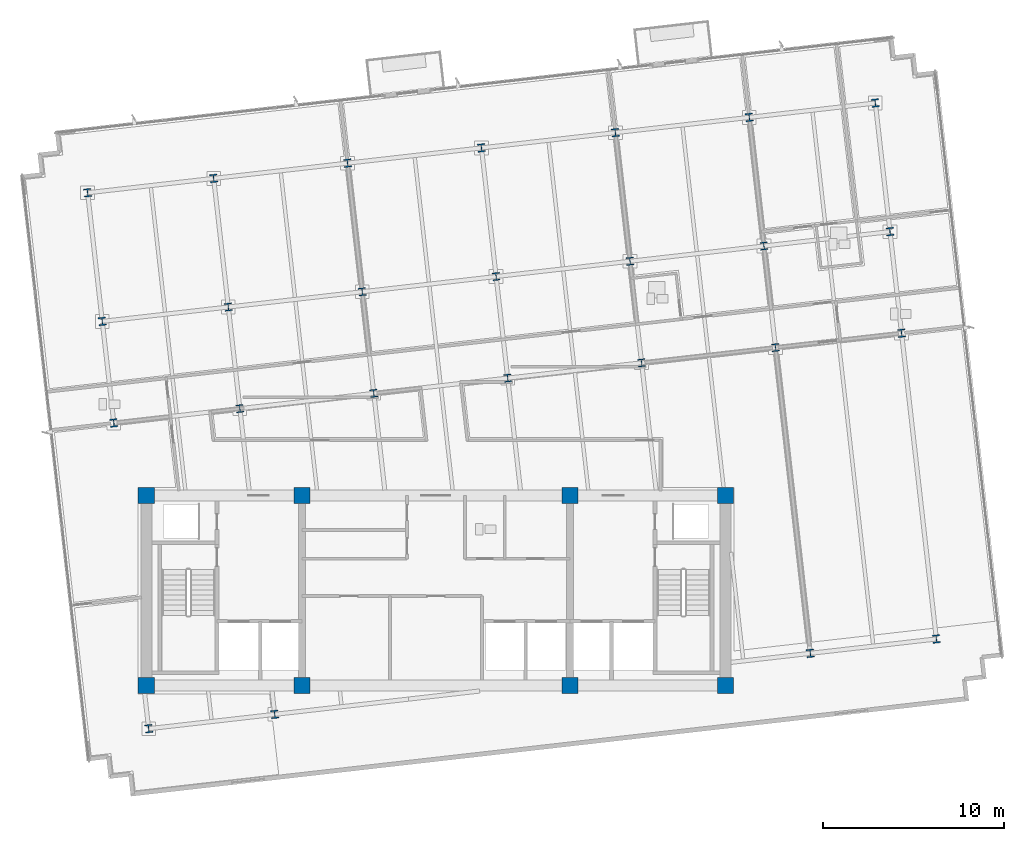
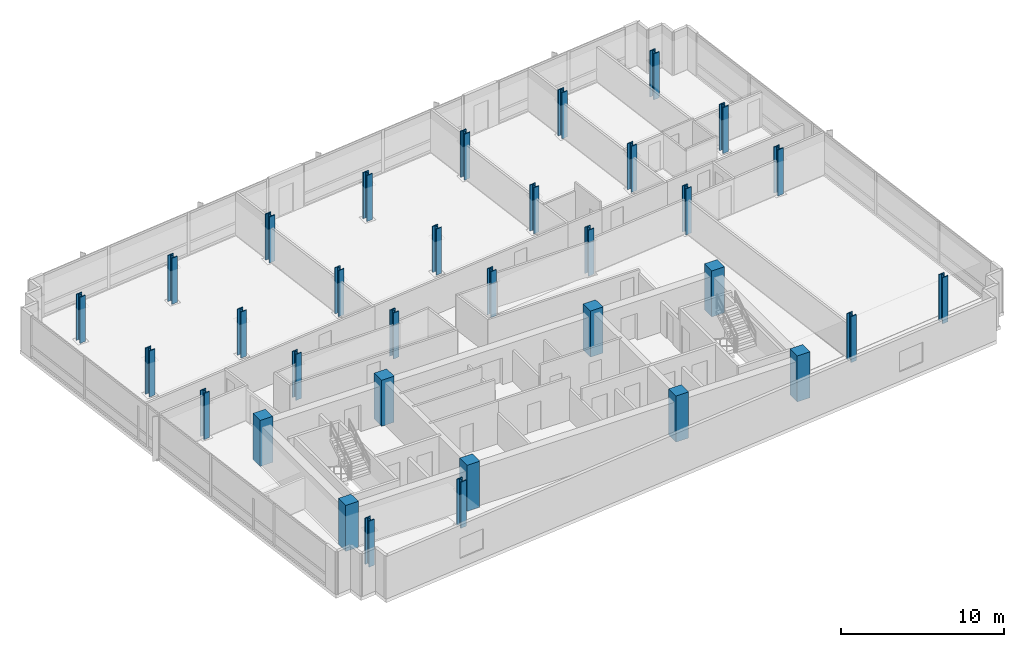
# One storey, part 1 of 16: 33 columns.
"""IFC4 building model written with IfcOpenShell, lengths in metres."""

from ifc_helpers import new_model, si_unit, direction, frame, origin, origin_2d, place, context, subcontext, project, spatial, rectangle, i_section, extrude, material, material_profile, profile_set, type_object, element, save


model = new_model("IFC4")

# Units and contexts
model_context = context("Model", 3, precision=1e-05, world=origin(), true_north=direction((0.0, 1.0)))
body_context = subcontext(model_context, "Body", "Model", "MODEL_VIEW")
ifc_project = project(units=[si_unit("LENGTHUNIT", "METRE"), si_unit("AREAUNIT", "SQUARE_METRE"), si_unit("VOLUMEUNIT", "CUBIC_METRE"), si_unit("PLANEANGLEUNIT", "RADIAN"), si_unit("MASSUNIT", "GRAM", prefix="KILO")], contexts=[model_context])

# Site, building, storey
site_placement = place(None, origin())
site = spatial("IfcSite", under=ifc_project, at=site_placement, CompositionType="ELEMENT")
building_placement = place(site_placement, origin())
building = spatial("IfcBuilding", under=site, at=building_placement, Name="Solmavex Isthmus Hotel", CompositionType="ELEMENT")
storey_placement = place(building_placement, frame((0.0, 0.0, 233.10009765625)))
storey = spatial("IfcBuildingStorey", under=building, at=storey_placement, Name="L63", CompositionType="ELEMENT", Elevation=233.10009765625)

# Columns
ifc_material_1 = material(Name="Concrete C50/60", Category="concrete")
ifc_material_profile_1 = material_profile(ifc_material_1, rectangle(XDim=0.89990234375, YDim=0.89990234375, at=origin_2d()), Name="RC900X900")
ifc_profile_set_1 = profile_set([ifc_material_profile_1], Name="Concrete C50/60")
column_type_1 = type_object("IfcColumnType", Name="COL-CC-900", PredefinedType="COLUMN", material=ifc_profile_set_1)
for number, where, z_axis, x_axis, name in (
    (1, (-16.0, -13.0, 0.0), (0.0, 0.0, 1.0), (1.0, 0.0, 0.0), "Core Pilaster CC-SW L63"),
    (2, (-7.39990234375, -13.0, 0.0), (0.0, 0.0, 1.0), (1.0, 0.0, 0.0), "Core Pilaster CC-S1 L63"),
    (3, (7.39990234375, -13.0, 0.0), (0.0, 0.0, 1.0), (1.0, 0.0, 0.0), "Core Pilaster CC-S2 L63"),
    (4, (16.0, -13.0, 0.0), (0.0, 0.0, 1.0), (1.0, 0.0, 0.0), "Core Pilaster CC-SE L63"),
    (5, (-16.0, -2.5, 0.0), (0.0, 0.0, 1.0), (1.0, 0.0, 0.0), "Core Pilaster CC-NW L63"),
    (6, (-7.39990234375, -2.5, 0.0), (0.0, 0.0, 1.0), (1.0, 0.0, 0.0), "Core Pilaster CC-N1 L63"),
    (7, (7.39990234375, -2.5, 0.0), (0.0, 0.0, 1.0), (1.0, 0.0, 0.0), "Core Pilaster CC-N2 L63"),
    (8, (16.0, -2.5, 0.0), (0.0, 0.0, 1.0), (1.0, 0.0, 0.0), "Core Pilaster CC-NE L63"),
):
    element("IfcColumn", number, at=place(storey_placement, frame(where, z_axis=z_axis, x_axis=x_axis)), inside=storey, type_object=column_type_1, Name=name, PredefinedType="COLUMN", context=body_context, shape_type="SweptSolid", body=[
        extrude(rectangle(XDim=0.89990234375, YDim=0.89990234375, at=origin_2d()), origin(), (0.0, 0.0, 1.0), 3.449951171875),
    ])
ifc_material_2 = material(Name="Steel ASTM A913 Grade 65", Category="steel")
ifc_material_profile_2 = material_profile(ifc_material_2, i_section(OverallWidth=0.412109375, OverallDepth=0.434814453125, WebThickness=0.035888671875, FlangeThickness=0.057373046875, FilletRadius=0.030517578125, at=origin_2d()), Name="W14X311")
ifc_profile_set_2 = profile_set([ifc_material_profile_2], Name="Steel ASTM A913 Grade 65")
column_type_2 = type_object("IfcColumnType", Name="COL-SC-W14X311", PredefinedType="COLUMN", material=ifc_profile_set_2)
for number, where, z_axis, x_axis, name in (
    (9, (-10.833984375, 2.30078125, 0.0), (0.0, 0.0, 1.0), (0.993571855677, 0.113203213768, 0.0), "Tower Column B4-U2V2 L63"),
    (10, (-11.473388671875, 7.912353515625, 0.0), (0.0, 0.0, 1.0), (0.993571855677, 0.113203213768, 0.0), "Tower Column B4-U2V3 L63"),
    (11, (-3.435791015625, 3.1435546875, 0.0), (0.0, 0.0, 1.0), (0.993571855677, 0.113203213768, 0.0), "Tower Column B4-U3V2 L63"),
    (12, (-4.0751953125, 8.75537109375, 0.0), (0.0, 0.0, 1.0), (0.993571855677, 0.113203213768, 0.0), "Tower Column B4-U3V3 L63"),
    (13, (3.962158203125, 3.986572265625, 0.0), (0.0, 0.0, 1.0), (0.993571855677, 0.113203213768, 0.0), "Tower Column B4-U4V2 L63"),
    (14, (3.322998046875, 9.59814453125, 0.0), (0.0, 0.0, 1.0), (0.993571855677, 0.113203213768, 0.0), "Tower Column B4-U4V3 L63"),
    (15, (11.3603515625, 4.829345703125, 0.0), (0.0, 0.0, 1.0), (0.993571855677, 0.113203213768, 0.0), "Tower Column B4-U5V2 L63"),
    (16, (10.720947265625, 10.441162109375, 0.0), (0.0, 0.0, 1.0), (0.993571855677, 0.113203213768, 0.0), "Tower Column B4-U5V3 L63"),
    (17, (18.758544921875, 5.67236328125, 0.0), (0.0, 0.0, 1.0), (0.993571855677, 0.113203213768, 0.0), "Tower Column B4-U6V2 L63"),
    (18, (18.119140625, 11.283935546875, 0.0), (0.0, 0.0, 1.0), (0.993571855677, 0.113203213768, 0.0), "Tower Column B4-U6V3 L63"),
):
    element("IfcColumn", number, at=place(storey_placement, frame(where, z_axis=z_axis, x_axis=x_axis)), inside=storey, type_object=column_type_2, Name=name, PredefinedType="COLUMN", context=body_context, shape_type="SweptSolid", body=[
        extrude(i_section(OverallWidth=0.412109375, OverallDepth=0.434814453125, WebThickness=0.035888671875, FlangeThickness=0.057373046875, FilletRadius=0.030517578125, at=origin_2d()), origin(), (0.0, 0.0, 1.0), 3.449951171875),
    ])
ifc_material_profile_3 = material_profile(ifc_material_2, i_section(OverallWidth=0.41845703125, OverallDepth=0.455078125, WebThickness=0.0419921875, FlangeThickness=0.067626953125, FilletRadius=0.030517578125, at=origin_2d()), Name="W14X370")
ifc_profile_set_3 = profile_set([ifc_material_profile_3], Name="Steel ASTM A913 Grade 65")
column_type_3 = type_object("IfcColumnType", Name="COL-SC-W14X370", PredefinedType="COLUMN", material=ifc_profile_set_3)
for number, where, z_axis, x_axis, name in (
    (19, (-15.87255859375, -15.38330078125, 0.0), (0.0, 0.0, 1.0), (0.993571855677, 0.113203213768, 0.0), "Tower Column B4-U1V1 L63"),
    (20, (-17.796875, 1.50732421875, 0.0), (0.0, 0.0, 1.0), (0.993571855677, 0.113203213768, 0.0), "Tower Column B4-U1V2 L63"),
    (21, (-18.436279296875, 7.119140625, 0.0), (0.0, 0.0, 1.0), (0.993571855677, 0.113203213768, 0.0), "Tower Column B4-U1V3 L63"),
    (22, (-19.245849609375, 14.22509765625, 0.0), (0.0, 0.0, 1.0), (0.993571855677, 0.113203213768, 0.0), "Tower Column B4-U1V4 L63"),
    (23, (-8.909423828125, -14.590087890625, 0.0), (0.0, 0.0, 1.0), (0.993571855677, 0.113203213768, 0.0), "Tower Column B4-U2V1 L63"),
    (24, (-12.282958984375, 15.018310546875, 0.0), (0.0, 0.0, 1.0), (0.993571855677, 0.113203213768, 0.0), "Tower Column B4-U2V4 L63"),
    (25, (-4.884765625, 15.861328125, 0.0), (0.0, 0.0, 1.0), (0.993571855677, 0.113203213768, 0.0), "Tower Column B4-U3V4 L63"),
    (26, (2.51318359375, 16.7041015625, 0.0), (0.0, 0.0, 1.0), (0.993571855677, 0.113203213768, 0.0), "Tower Column B4-U4V4 L63"),
    (27, (9.911376953125, 17.547119140625, 0.0), (0.0, 0.0, 1.0), (0.993571855677, 0.113203213768, 0.0), "Tower Column B4-U5V4 L63"),
    (28, (20.68310546875, -11.218505859375, 0.0), (0.0, 0.0, 1.0), (0.993571855677, 0.113203213768, 0.0), "Tower Column B4-U6V1 L63"),
    (29, (17.3095703125, 18.39013671875, 0.0), (0.0, 0.0, 1.0), (0.993571855677, 0.113203213768, 0.0), "Tower Column B4-U6V4 L63"),
    (30, (27.64599609375, -10.425048828125, 0.0), (0.0, 0.0, 1.0), (0.993571855677, 0.113203213768, 0.0), "Tower Column B4-U7V1 L63"),
    (31, (25.721435546875, 6.465576171875, 0.0), (0.0, 0.0, 1.0), (0.993571855677, 0.113203213768, 0.0), "Tower Column B4-U7V2 L63"),
    (32, (25.08203125, 12.077392578125, 0.0), (0.0, 0.0, 1.0), (0.993571855677, 0.113203213768, 0.0), "Tower Column B4-U7V3 L63"),
    (33, (24.2724609375, 19.183349609375, 0.0), (0.0, 0.0, 1.0), (0.993571855677, 0.113203213768, 0.0), "Tower Column B4-U7V4 L63"),
):
    element("IfcColumn", number, at=place(storey_placement, frame(where, z_axis=z_axis, x_axis=x_axis)), inside=storey, type_object=column_type_3, Name=name, PredefinedType="COLUMN", context=body_context, shape_type="SweptSolid", body=[
        extrude(i_section(OverallWidth=0.41845703125, OverallDepth=0.455078125, WebThickness=0.0419921875, FlangeThickness=0.067626953125, FilletRadius=0.030517578125, at=origin_2d()), origin(), (0.0, 0.0, 1.0), 3.449951171875),
    ])

save(model, "model.ifc")
